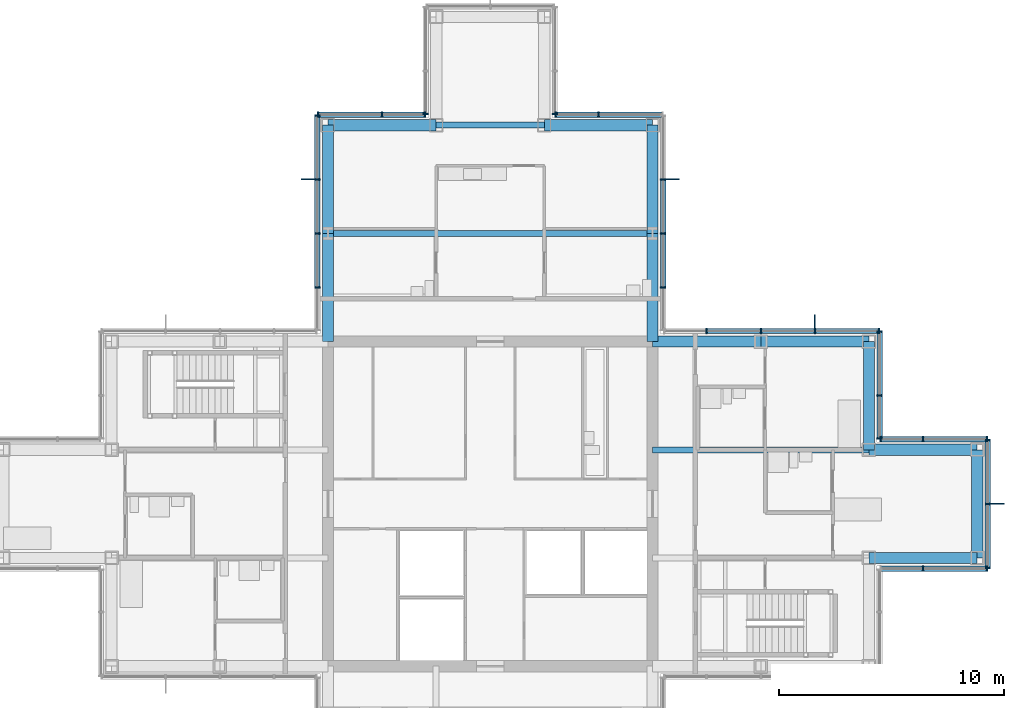
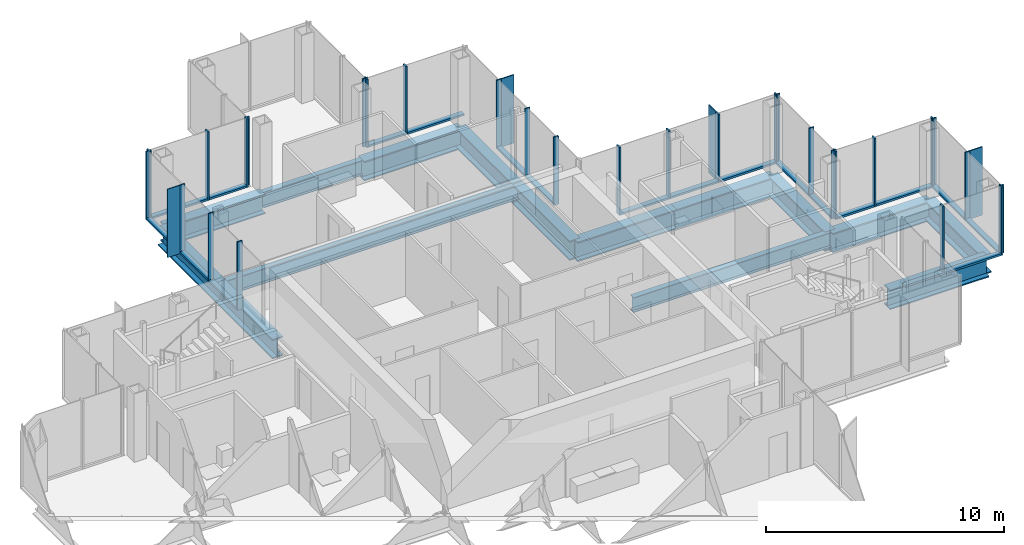
# One storey, part 8 of 17: 53 members, 15 beams, 11 elements without a shape of their own.
"""IFC4 building model written with IfcOpenShell, lengths in metres."""

import ifcopenshell
import ifcopenshell.guid

model = None  # the IFC model being written
_history = None  # IfcOwnerHistory: only IFC2X3 demands one
_inside = {}  # id of a spatial element -> (the spatial element, [elements in it])
_under = {}  # id of a project, library or spatial element -> (it, [spatial elements below it])
_declared = {}  # id of a project -> (the project, [libraries it declares])
_typed = {}  # id of a type object -> (the type object, [elements of that type])
_made_of = {}  # id of a material, layer set ... -> (it, [elements and type objects made of it])


def new_model(schema):
    """Start an empty IFC model of exactly this schema.

    Asked for "IFC4X3", IfcOpenShell would pick the latest addendum, in which some entities
    have other attributes; the version numbers below select the first issue.
    IFC2X3 requires an IfcOwnerHistory on every rooted entity: one is made here for all.
    """
    global model, _history
    if schema == "IFC4X3":
        model = ifcopenshell.file(schema_version=(4, 3, 0, 0))
    else:
        model = ifcopenshell.file(schema=schema)
    _inside.clear()
    _under.clear()
    _declared.clear()
    _typed.clear()
    _made_of.clear()
    _history = None
    if model.schema == "IFC2X3":
        org = make("IfcOrganization", Name="unknown")
        user = make(
            "IfcPersonAndOrganization",
            ThePerson=make("IfcPerson", FamilyName="unknown"),
            TheOrganization=org,
        )
        app = make(
            "IfcApplication",
            ApplicationDeveloper=org,
            Version="unknown",
            ApplicationFullName="unknown",
            ApplicationIdentifier="unknown",
        )
        _history = make(
            "IfcOwnerHistory",
            OwningUser=user,
            OwningApplication=app,
            ChangeAction="ADDED",
            CreationDate=0,
        )
    return model


def make(cls, **values):
    """One entity of the class cls with the attributes given. An attribute that is None is left unset."""
    return model.create_entity(
        cls, **{name: value for name, value in values.items() if value is not None}
    )


def rooted(cls, **values):
    """An entity with a GlobalId (a new one), such as an element, a storey or a relation."""
    return make(cls, GlobalId=ifcopenshell.guid.new(), OwnerHistory=_history, **values)


def si_unit(unit_type, name, prefix=None):
    """IfcSIUnit, for example si_unit("LENGTHUNIT", "METRE", prefix="MILLI")."""
    return make("IfcSIUnit", UnitType=unit_type, Prefix=prefix, Name=name)


def assignment(units):
    """IfcUnitAssignment: the units of a project."""
    return None if units is None else make("IfcUnitAssignment", Units=units)


def point(xyz):
    """IfcCartesianPoint."""
    return None if xyz is None else make("IfcCartesianPoint", Coordinates=xyz)


def direction(xyz):
    """IfcDirection."""
    return None if xyz is None else make("IfcDirection", DirectionRatios=xyz)


def frame(location, z_axis=None, x_axis=None):
    """IfcAxis2Placement3D, a coordinate frame: its origin and axes. An axis left out is left unset."""
    return make(
        "IfcAxis2Placement3D",
        Location=point(location),
        Axis=direction(z_axis),
        RefDirection=direction(x_axis),
    )


def frame_2d(location, x_axis=None):
    """IfcAxis2Placement2D, a coordinate frame in the plane: its origin and x axis."""
    return make(
        "IfcAxis2Placement2D", Location=point(location), RefDirection=direction(x_axis)
    )


def origin():
    """The frame at (0, 0, 0) with its axes left unset."""
    return frame((0.0, 0.0, 0.0))


def origin_2d():
    """The frame at (0, 0) in the plane with its x axis left unset."""
    return frame_2d((0.0, 0.0))


def place(relative_to, where):
    """IfcLocalPlacement: puts the frame where relative to a parent placement (None: the world)."""
    return make(
        "IfcLocalPlacement", PlacementRelTo=relative_to, RelativePlacement=where
    )


def context(
    kind, dimensions, precision=None, world=None, true_north=None, identifier=None
):
    """IfcGeometricRepresentationContext, for example the 3D "Model" context."""
    return make(
        "IfcGeometricRepresentationContext",
        ContextIdentifier=identifier,
        ContextType=kind,
        CoordinateSpaceDimension=dimensions,
        Precision=precision,
        WorldCoordinateSystem=world,
        TrueNorth=true_north,
    )


def subcontext(parent, identifier, kind, view, scale=None):
    """IfcGeometricRepresentationSubContext, for example "Body" below "Model"."""
    return make(
        "IfcGeometricRepresentationSubContext",
        ContextIdentifier=identifier,
        ContextType=kind,
        ParentContext=parent,
        TargetScale=scale,
        TargetView=view,
    )


def project(units=None, contexts=None):
    """IfcProject with its units and contexts."""
    return rooted(
        "IfcProject",
        Name="project",
        RepresentationContexts=contexts,
        UnitsInContext=assignment(units),
    )


def spatial(cls, under=None, at=None, **own):
    """A site, building, storey or space (cls), placed at a placement, below another one or the project."""
    s = rooted(cls, ObjectPlacement=at, **own)
    if under is not None:
        _under.setdefault(under.id(), (under, []))[1].append(s)
    return s


def profile(cls, at=None, kind="AREA", **sizes):
    """A parametric profile (cls). Its sizes go by their IFC names, for example OverallWidth=200.0."""
    return make(cls, ProfileType=kind, Position=at, **sizes)


def rectangle(**sizes):
    """IfcRectangleProfileDef."""
    return profile("IfcRectangleProfileDef", **sizes)


def i_section(**sizes):
    """IfcIShapeProfileDef."""
    return profile("IfcIShapeProfileDef", **sizes)


def extrude(swept, where, along, depth):
    """IfcExtrudedAreaSolid: the profile swept, set in the frame where, extruded along a direction by depth."""
    return make(
        "IfcExtrudedAreaSolid",
        SweptArea=swept,
        Position=where,
        ExtrudedDirection=direction(along),
        Depth=depth,
    )


def shape(context_of_items, identifier, shape_type, items):
    """IfcShapeRepresentation: the items that make up one representation, for example the "Body"."""
    return make(
        "IfcShapeRepresentation",
        ContextOfItems=context_of_items,
        RepresentationIdentifier=identifier,
        RepresentationType=shape_type,
        Items=items,
    )


def material(Name=None, Category=None):
    """IfcMaterial."""
    return make("IfcMaterial", Name=Name, Category=Category)


def material_profile(
    of_material, cross_section, Name=None, Category=None, Priority=None
):
    """IfcMaterialProfile: a cross section and its material."""
    return make(
        "IfcMaterialProfile",
        Name=Name,
        Material=of_material,
        Profile=cross_section,
        Priority=Priority,
        Category=Category,
    )


def profile_set(profiles, Name=None, composite=None):
    """IfcMaterialProfileSet."""
    return make(
        "IfcMaterialProfileSet",
        Name=Name,
        MaterialProfiles=profiles,
        CompositeProfile=composite,
    )


def made_of(thing, what):
    """Note that an element or type object is made of a material, layer set ...; save() writes the relation."""
    if what is not None:
        _made_of.setdefault(what.id(), (what, []))[1].append(thing)
    return thing


def type_object(cls, material=None, **own):
    """A type object (cls), such as IfcWallType, which elements share."""
    return made_of(rooted(cls, **own), material)


def element(
    cls,
    number,
    at=None,
    inside=None,
    cuts=None,
    type_object=None,
    material=None,
    context=None,
    identifier="Body",
    shape_type=None,
    held_by="IfcProductDefinitionShape",
    body=None,
    shapes=None,
    **own,
):
    """One element of the class cls, such as IfcWall. Its Tag is "e" and its number.

    at: its placement. inside: the storey or other place that contains it. cuts: it is an
    opening in that element (IfcRelVoidsElement). A single representation is given by context,
    identifier, shape_type and body (its items); several are given by shapes. held_by: the class
    of the entity that holds the representations. save() writes the other relations.
    """
    e = rooted(cls, Tag="e%d" % number, ObjectPlacement=at, **own)
    if body is not None:
        shapes = [shape(context, identifier, shape_type, body)]
    if shapes is not None:
        e.Representation = make(held_by, Representations=shapes)
    if inside is not None:
        _inside.setdefault(inside.id(), (inside, []))[1].append(e)
    if cuts is not None:
        rooted(
            "IfcRelVoidsElement", RelatingBuildingElement=cuts, RelatedOpeningElement=e
        )
    if type_object is not None:
        _typed.setdefault(type_object.id(), (type_object, []))[1].append(e)
    return made_of(e, material)


def aggregate(whole, parts):
    """IfcRelAggregates: a whole, such as a stair, and the parts it consists of."""
    return rooted("IfcRelAggregates", RelatingObject=whole, RelatedObjects=parts)


def save(model, path):
    """Write the relations noted so far, then the file.

    IfcRelAggregates (storeys below a building ...), IfcRelContainedInSpatialStructure (elements
    in a storey), IfcRelDefinesByType, IfcRelAssociatesMaterial and IfcRelDeclares: one each for
    every whole, place, type object, material and project.
    """
    for whole, parts in _under.values():
        aggregate(whole, parts)
    for where, things in _inside.values():
        rooted(
            "IfcRelContainedInSpatialStructure",
            RelatedElements=things,
            RelatingStructure=where,
        )
    for kind, things in _typed.values():
        rooted("IfcRelDefinesByType", RelatedObjects=things, RelatingType=kind)
    for what, things in _made_of.values():
        rooted("IfcRelAssociatesMaterial", RelatedObjects=things, RelatingMaterial=what)
    for by, libraries in _declared.values():
        rooted("IfcRelDeclares", RelatingContext=by, RelatedDefinitions=libraries)
    model.write(path)


model = new_model("IFC4")

# Units and contexts
model_context = context("Model", 3, precision=1e-05, world=origin(), true_north=direction((0.0, 1.0)))
body_context = subcontext(model_context, "Body", "Model", "MODEL_VIEW")
ifc_project = project(units=[si_unit("LENGTHUNIT", "METRE"), si_unit("AREAUNIT", "SQUARE_METRE"), si_unit("VOLUMEUNIT", "CUBIC_METRE"), si_unit("PLANEANGLEUNIT", "RADIAN"), si_unit("MASSUNIT", "GRAM", prefix="KILO")], contexts=[model_context])

# Site, building, storey
site_placement = place(None, origin())
site = spatial("IfcSite", under=ifc_project, at=site_placement, CompositionType="ELEMENT")
building_placement = place(site_placement, origin())
building = spatial("IfcBuilding", under=site, at=building_placement, Name="Kvirike Care Tower", CompositionType="ELEMENT")
storey_placement = place(building_placement, frame((0.0, 0.0, 155.0)))
storey = spatial("IfcBuildingStorey", under=building, at=storey_placement, Name="L42", CompositionType="ELEMENT", Elevation=155.0)

# Curtain wall, member
ifc_material_1 = material(Name="Anodised aluminium stick system", Category="aluminium")
curtain_wall_type = type_object("IfcCurtainWallType", Name="CW-C STICK CURTAIN WALL", PredefinedType="NOTDEFINED", material=ifc_material_1)
curtain_wall_1_placement = place(storey_placement, origin())
curtain_wall_1 = element("IfcCurtainWall", 1, at=curtain_wall_1_placement, inside=storey, type_object=curtain_wall_type, Name="Curtain wall L42 face 4", PredefinedType="NOTDEFINED")
ifc_material_2 = material(Name="Bronze anodised aluminium fin", Category="aluminium")
ifc_material_profile_1 = material_profile(ifc_material_2, rectangle(XDim=0.050048828125, YDim=0.60009765625, at=origin_2d()), Name="BRONZE FIN 600")
ifc_profile_set_1 = profile_set([ifc_material_profile_1], Name="Bronze anodised aluminium fin")
member_type_1 = type_object("IfcMemberType", Name="BRONZE FIN 600", PredefinedType="USERDEFINED", material=ifc_profile_set_1)
member_1_placement = place(storey_placement, frame((44.090087890625, 36.0, 0.0), z_axis=(0.0, 0.0, 1.0), x_axis=(0.0, 1.0, 0.0)))
member_1 = element("IfcMember", 2, at=member_1_placement, type_object=member_type_1, Name="Bronze fin L42 face 4.2", ObjectType="FIN", PredefinedType="USERDEFINED", context=body_context, shape_type="SweptSolid", body=[
    extrude(rectangle(XDim=0.050048828125, YDim=0.60009765625, at=origin_2d()), origin(), (0.0, 0.0, 1.0), 3.5),
])

curtain_wall_2_placement = place(storey_placement, origin())
curtain_wall_2 = element("IfcCurtainWall", 3, at=curtain_wall_2_placement, inside=storey, type_object=curtain_wall_type, Name="Curtain wall L42 face 7", PredefinedType="NOTDEFINED")
member_2_placement = place(storey_placement, frame((36.0, 44.090087890625, 0.0), z_axis=(0.0, 0.0, 1.0), x_axis=(-1.0, 0.0, 0.0)))
member_2 = element("IfcMember", 4, at=member_2_placement, type_object=member_type_1, Name="Bronze fin L42 face 7.2", ObjectType="FIN", PredefinedType="USERDEFINED", context=body_context, shape_type="SweptSolid", body=[
    extrude(rectangle(XDim=0.050048828125, YDim=0.60009765625, at=origin_2d()), origin(), (0.0, 0.0, 1.0), 3.5),
])

curtain_wall_3_placement = place(storey_placement, origin())
curtain_wall_3 = element("IfcCurtainWall", 5, at=curtain_wall_3_placement, inside=storey, type_object=curtain_wall_type, Name="Curtain wall L42 face 8", PredefinedType="NOTDEFINED")
member_3_placement = place(storey_placement, frame((29.68994140625, 50.39990234375, 0.0), z_axis=(0.0, 0.0, 1.0), x_axis=(0.0, 1.0, 0.0)))
member_3 = element("IfcMember", 6, at=member_3_placement, type_object=member_type_1, Name="Bronze fin L42 face 8.4", ObjectType="FIN", PredefinedType="USERDEFINED", context=body_context, shape_type="SweptSolid", body=[
    extrude(rectangle(XDim=0.050048828125, YDim=0.60009765625, at=origin_2d()), origin(), (0.0, 0.0, 1.0), 3.5),
])

curtain_wall_4_placement = place(storey_placement, origin())
curtain_wall_4 = element("IfcCurtainWall", 7, at=curtain_wall_4_placement, inside=storey, type_object=curtain_wall_type, Name="Curtain wall L42 face 14", PredefinedType="NOTDEFINED")
member_4_placement = place(storey_placement, frame((13.510009765625, 50.39990234375, 0.0), z_axis=(0.0, 0.0, 1.0), x_axis=(0.0, -1.0, 0.0)))
member_4 = element("IfcMember", 8, at=member_4_placement, type_object=member_type_1, Name="Bronze fin L42 face 14.2", ObjectType="FIN", PredefinedType="USERDEFINED", context=body_context, shape_type="SweptSolid", body=[
    extrude(rectangle(XDim=0.050048828125, YDim=0.60009765625, at=origin_2d()), origin(), (0.0, 0.0, 1.0), 3.5),
])

# Curtain wall, members
curtain_wall_5_placement = place(storey_placement, origin())
curtain_wall_5 = element("IfcCurtainWall", 9, at=curtain_wall_5_placement, inside=storey, type_object=curtain_wall_type, Name="Curtain wall L42 face 3", PredefinedType="NOTDEFINED")
ifc_material_3 = material(Name="Bronze anodised aluminium mullion", Category="aluminium")
ifc_material_profile_2 = material_profile(ifc_material_3, rectangle(XDim=0.06494140625, YDim=0.239990234375, at=origin_2d()), Name="CW-C MULLION 65x240")
ifc_profile_set_2 = profile_set([ifc_material_profile_2], Name="Bronze anodised aluminium mullion")
member_type_2 = type_object("IfcMemberType", Name="CW-C MULLION 65x240", PredefinedType="MULLION", material=ifc_profile_set_2)
member_5_placement = place(storey_placement, frame((40.800048828125, 33.1298828125, 0.0), z_axis=(0.0, 0.0, 1.0), x_axis=(1.0, 0.0, 0.0)))
member_5 = element("IfcMember", 10, at=member_5_placement, type_object=member_type_2, Name="CW-C mullion L42 face 3.2", PredefinedType="MULLION", context=body_context, shape_type="SweptSolid", body=[
    extrude(rectangle(XDim=0.06494140625, YDim=0.239990234375, at=origin_2d()), origin(), (0.0, 0.0, 1.0), 3.5),
])
member_6_placement = place(storey_placement, frame((43.637451171875, 33.1298828125, 0.0), z_axis=(0.0, 0.0, 1.0), x_axis=(1.0, 0.0, 0.0)))
member_6 = element("IfcMember", 11, at=member_6_placement, type_object=member_type_2, Name="CW-C mullion L42 face 3.3", PredefinedType="MULLION", context=body_context, shape_type="SweptSolid", body=[
    extrude(rectangle(XDim=0.06494140625, YDim=0.239990234375, at=origin_2d()), origin(), (0.0, 0.0, 1.0), 3.5),
])

# Member
member_7_placement = place(storey_placement, frame((43.669921875, 33.16259765625, 0.0), z_axis=(0.0, 0.0, 1.0), x_axis=(0.0, 1.0, 0.0)))
member_7 = element("IfcMember", 12, at=member_7_placement, type_object=member_type_2, Name="CW-C mullion L42 face 4.1", PredefinedType="MULLION", context=body_context, shape_type="SweptSolid", body=[
    extrude(rectangle(XDim=0.06494140625, YDim=0.239990234375, at=origin_2d()), origin(), (0.0, 0.0, 1.0), 3.5),
])

member_8_placement = place(storey_placement, frame((43.669921875, 36.0, 0.0), z_axis=(0.0, 0.0, 1.0), x_axis=(0.0, 1.0, 0.0)))
member_8 = element("IfcMember", 13, at=member_8_placement, type_object=member_type_2, Name="CW-C mullion L42 face 4.2", PredefinedType="MULLION", context=body_context, shape_type="SweptSolid", body=[
    extrude(rectangle(XDim=0.06494140625, YDim=0.239990234375, at=origin_2d()), origin(), (0.0, 0.0, 1.0), 3.5),
])

member_9_placement = place(storey_placement, frame((43.669921875, 38.83740234375, 0.0), z_axis=(0.0, 0.0, 1.0), x_axis=(0.0, 1.0, 0.0)))
member_9 = element("IfcMember", 14, at=member_9_placement, type_object=member_type_2, Name="CW-C mullion L42 face 4.3", PredefinedType="MULLION", context=body_context, shape_type="SweptSolid", body=[
    extrude(rectangle(XDim=0.06494140625, YDim=0.239990234375, at=origin_2d()), origin(), (0.0, 0.0, 1.0), 3.5),
])

# Curtain wall, members
curtain_wall_6_placement = place(storey_placement, origin())
curtain_wall_6 = element("IfcCurtainWall", 15, at=curtain_wall_6_placement, inside=storey, type_object=curtain_wall_type, Name="Curtain wall L42 face 5", PredefinedType="NOTDEFINED")
member_10_placement = place(storey_placement, frame((43.637451171875, 38.8701171875, 0.0), z_axis=(0.0, 0.0, 1.0), x_axis=(-1.0, 0.0, 0.0)))
member_10 = element("IfcMember", 16, at=member_10_placement, type_object=member_type_2, Name="CW-C mullion L42 face 5.1", PredefinedType="MULLION", context=body_context, shape_type="SweptSolid", body=[
    extrude(rectangle(XDim=0.06494140625, YDim=0.239990234375, at=origin_2d()), origin(), (0.0, 0.0, 1.0), 3.5),
])
member_11_placement = place(storey_placement, frame((40.800048828125, 38.8701171875, 0.0), z_axis=(0.0, 0.0, 1.0), x_axis=(-1.0, 0.0, 0.0)))
member_11 = element("IfcMember", 17, at=member_11_placement, type_object=member_type_2, Name="CW-C mullion L42 face 5.2", PredefinedType="MULLION", context=body_context, shape_type="SweptSolid", body=[
    extrude(rectangle(XDim=0.06494140625, YDim=0.239990234375, at=origin_2d()), origin(), (0.0, 0.0, 1.0), 3.5),
])
member_12_placement = place(storey_placement, frame((38.902587890625, 38.8701171875, 0.0), z_axis=(0.0, 0.0, 1.0), x_axis=(-1.0, 0.0, 0.0)))
member_12 = element("IfcMember", 18, at=member_12_placement, type_object=member_type_2, Name="CW-C mullion L42 face 5.3", PredefinedType="MULLION", context=body_context, shape_type="SweptSolid", body=[
    extrude(rectangle(XDim=0.06494140625, YDim=0.239990234375, at=origin_2d()), origin(), (0.0, 0.0, 1.0), 3.5),
])

curtain_wall_7_placement = place(storey_placement, origin())
curtain_wall_7 = element("IfcCurtainWall", 19, at=curtain_wall_7_placement, inside=storey, type_object=curtain_wall_type, Name="Curtain wall L42 face 6", PredefinedType="NOTDEFINED")
member_13_placement = place(storey_placement, frame((38.8701171875, 38.902587890625, 0.0), z_axis=(0.0, 0.0, 1.0), x_axis=(0.0, 1.0, 0.0)))
member_13 = element("IfcMember", 20, at=member_13_placement, type_object=member_type_2, Name="CW-C mullion L42 face 6.1", PredefinedType="MULLION", context=body_context, shape_type="SweptSolid", body=[
    extrude(rectangle(XDim=0.06494140625, YDim=0.239990234375, at=origin_2d()), origin(), (0.0, 0.0, 1.0), 3.5),
])
member_14_placement = place(storey_placement, frame((38.8701171875, 40.800048828125, 0.0), z_axis=(0.0, 0.0, 1.0), x_axis=(0.0, 1.0, 0.0)))
member_14 = element("IfcMember", 21, at=member_14_placement, type_object=member_type_2, Name="CW-C mullion L42 face 6.2", PredefinedType="MULLION", context=body_context, shape_type="SweptSolid", body=[
    extrude(rectangle(XDim=0.06494140625, YDim=0.239990234375, at=origin_2d()), origin(), (0.0, 0.0, 1.0), 3.5),
])
member_15_placement = place(storey_placement, frame((38.8701171875, 43.637451171875, 0.0), z_axis=(0.0, 0.0, 1.0), x_axis=(0.0, 1.0, 0.0)))
member_15 = element("IfcMember", 22, at=member_15_placement, type_object=member_type_2, Name="CW-C mullion L42 face 6.3", PredefinedType="MULLION", context=body_context, shape_type="SweptSolid", body=[
    extrude(rectangle(XDim=0.06494140625, YDim=0.239990234375, at=origin_2d()), origin(), (0.0, 0.0, 1.0), 3.5),
])

# Member
member_16_placement = place(storey_placement, frame((38.83740234375, 43.669921875, 0.0), z_axis=(0.0, 0.0, 1.0), x_axis=(-1.0, 0.0, 0.0)))
member_16 = element("IfcMember", 23, at=member_16_placement, type_object=member_type_2, Name="CW-C mullion L42 face 7.1", PredefinedType="MULLION", context=body_context, shape_type="SweptSolid", body=[
    extrude(rectangle(XDim=0.06494140625, YDim=0.239990234375, at=origin_2d()), origin(), (0.0, 0.0, 1.0), 3.5),
])

member_17_placement = place(storey_placement, frame((36.0, 43.669921875, 0.0), z_axis=(0.0, 0.0, 1.0), x_axis=(-1.0, 0.0, 0.0)))
member_17 = element("IfcMember", 24, at=member_17_placement, type_object=member_type_2, Name="CW-C mullion L42 face 7.2", PredefinedType="MULLION", context=body_context, shape_type="SweptSolid", body=[
    extrude(rectangle(XDim=0.06494140625, YDim=0.239990234375, at=origin_2d()), origin(), (0.0, 0.0, 1.0), 3.5),
])

member_18_placement = place(storey_placement, frame((33.60009765625, 43.669921875, 0.0), z_axis=(0.0, 0.0, 1.0), x_axis=(-1.0, 0.0, 0.0)))
member_18 = element("IfcMember", 25, at=member_18_placement, type_object=member_type_2, Name="CW-C mullion L42 face 7.3", PredefinedType="MULLION", context=body_context, shape_type="SweptSolid", body=[
    extrude(rectangle(XDim=0.06494140625, YDim=0.239990234375, at=origin_2d()), origin(), (0.0, 0.0, 1.0), 3.5),
])

member_19_placement = place(storey_placement, frame((31.199951171875, 43.669921875, 0.0), z_axis=(0.0, 0.0, 1.0), x_axis=(-1.0, 0.0, 0.0)))
member_19 = element("IfcMember", 26, at=member_19_placement, type_object=member_type_2, Name="CW-C mullion L42 face 7.4", PredefinedType="MULLION", context=body_context, shape_type="SweptSolid", body=[
    extrude(rectangle(XDim=0.06494140625, YDim=0.239990234375, at=origin_2d()), origin(), (0.0, 0.0, 1.0), 3.5),
])

member_20_placement = place(storey_placement, frame((29.27001953125, 45.60009765625, 0.0), z_axis=(0.0, 0.0, 1.0), x_axis=(0.0, 1.0, 0.0)))
member_20 = element("IfcMember", 27, at=member_20_placement, type_object=member_type_2, Name="CW-C mullion L42 face 8.2", PredefinedType="MULLION", context=body_context, shape_type="SweptSolid", body=[
    extrude(rectangle(XDim=0.06494140625, YDim=0.239990234375, at=origin_2d()), origin(), (0.0, 0.0, 1.0), 3.5),
])

member_21_placement = place(storey_placement, frame((29.27001953125, 48.0, 0.0), z_axis=(0.0, 0.0, 1.0), x_axis=(0.0, 1.0, 0.0)))
member_21 = element("IfcMember", 28, at=member_21_placement, type_object=member_type_2, Name="CW-C mullion L42 face 8.3", PredefinedType="MULLION", context=body_context, shape_type="SweptSolid", body=[
    extrude(rectangle(XDim=0.06494140625, YDim=0.239990234375, at=origin_2d()), origin(), (0.0, 0.0, 1.0), 3.5),
])

member_22_placement = place(storey_placement, frame((29.27001953125, 50.39990234375, 0.0), z_axis=(0.0, 0.0, 1.0), x_axis=(0.0, 1.0, 0.0)))
member_22 = element("IfcMember", 29, at=member_22_placement, type_object=member_type_2, Name="CW-C mullion L42 face 8.4", PredefinedType="MULLION", context=body_context, shape_type="SweptSolid", body=[
    extrude(rectangle(XDim=0.06494140625, YDim=0.239990234375, at=origin_2d()), origin(), (0.0, 0.0, 1.0), 3.5),
])

# Curtain wall, members
curtain_wall_8_placement = place(storey_placement, origin())
curtain_wall_8 = element("IfcCurtainWall", 30, at=curtain_wall_8_placement, inside=storey, type_object=curtain_wall_type, Name="Curtain wall L42 face 9", PredefinedType="NOTDEFINED")
member_23_placement = place(storey_placement, frame((26.39990234375, 53.27001953125, 0.0), z_axis=(0.0, 0.0, 1.0), x_axis=(-1.0, 0.0, 0.0)))
member_23 = element("IfcMember", 31, at=member_23_placement, type_object=member_type_2, Name="CW-C mullion L42 face 9.2", PredefinedType="MULLION", context=body_context, shape_type="SweptSolid", body=[
    extrude(rectangle(XDim=0.06494140625, YDim=0.239990234375, at=origin_2d()), origin(), (0.0, 0.0, 1.0), 3.5),
])
member_24_placement = place(storey_placement, frame((24.50244140625, 53.27001953125, 0.0), z_axis=(0.0, 0.0, 1.0), x_axis=(-1.0, 0.0, 0.0)))
member_24 = element("IfcMember", 32, at=member_24_placement, type_object=member_type_2, Name="CW-C mullion L42 face 9.3", PredefinedType="MULLION", context=body_context, shape_type="SweptSolid", body=[
    extrude(rectangle(XDim=0.06494140625, YDim=0.239990234375, at=origin_2d()), origin(), (0.0, 0.0, 1.0), 3.5),
])

# Curtain wall, member
curtain_wall_9_placement = place(storey_placement, origin())
curtain_wall_9 = element("IfcCurtainWall", 33, at=curtain_wall_9_placement, inside=storey, type_object=curtain_wall_type, Name="Curtain wall L42 face 10", PredefinedType="NOTDEFINED")
member_25_placement = place(storey_placement, frame((24.469970703125, 53.302490234375, 0.0), z_axis=(0.0, 0.0, 1.0), x_axis=(0.0, 1.0, 0.0)))
member_25 = element("IfcMember", 34, at=member_25_placement, type_object=member_type_2, Name="CW-C mullion L42 face 10.1", PredefinedType="MULLION", context=body_context, shape_type="SweptSolid", body=[
    extrude(rectangle(XDim=0.06494140625, YDim=0.239990234375, at=origin_2d()), origin(), (0.0, 0.0, 1.0), 3.5),
])
aggregate(curtain_wall_9, [member_25])

curtain_wall_10_placement = place(storey_placement, origin())
curtain_wall_10 = element("IfcCurtainWall", 35, at=curtain_wall_10_placement, inside=storey, type_object=curtain_wall_type, Name="Curtain wall L42 face 12", PredefinedType="NOTDEFINED")
member_26_placement = place(storey_placement, frame((18.72998046875, 53.302490234375, 0.0), z_axis=(0.0, 0.0, 1.0), x_axis=(0.0, -1.0, 0.0)))
member_26 = element("IfcMember", 36, at=member_26_placement, type_object=member_type_2, Name="CW-C mullion L42 face 12.3", PredefinedType="MULLION", context=body_context, shape_type="SweptSolid", body=[
    extrude(rectangle(XDim=0.06494140625, YDim=0.239990234375, at=origin_2d()), origin(), (0.0, 0.0, 1.0), 3.5),
])
aggregate(curtain_wall_10, [member_26])

# Curtain wall, members
curtain_wall_11_placement = place(storey_placement, origin())
curtain_wall_11 = element("IfcCurtainWall", 37, at=curtain_wall_11_placement, inside=storey, type_object=curtain_wall_type, Name="Curtain wall L42 face 13", PredefinedType="NOTDEFINED")
member_27_placement = place(storey_placement, frame((18.697509765625, 53.27001953125, 0.0), z_axis=(0.0, 0.0, 1.0), x_axis=(-1.0, 0.0, 0.0)))
member_27 = element("IfcMember", 38, at=member_27_placement, type_object=member_type_2, Name="CW-C mullion L42 face 13.1", PredefinedType="MULLION", context=body_context, shape_type="SweptSolid", body=[
    extrude(rectangle(XDim=0.06494140625, YDim=0.239990234375, at=origin_2d()), origin(), (0.0, 0.0, 1.0), 3.5),
])
member_28_placement = place(storey_placement, frame((16.800048828125, 53.27001953125, 0.0), z_axis=(0.0, 0.0, 1.0), x_axis=(-1.0, 0.0, 0.0)))
member_28 = element("IfcMember", 39, at=member_28_placement, type_object=member_type_2, Name="CW-C mullion L42 face 13.2", PredefinedType="MULLION", context=body_context, shape_type="SweptSolid", body=[
    extrude(rectangle(XDim=0.06494140625, YDim=0.239990234375, at=origin_2d()), origin(), (0.0, 0.0, 1.0), 3.5),
])
member_29_placement = place(storey_placement, frame((13.96240234375, 53.27001953125, 0.0), z_axis=(0.0, 0.0, 1.0), x_axis=(-1.0, 0.0, 0.0)))
member_29 = element("IfcMember", 40, at=member_29_placement, type_object=member_type_2, Name="CW-C mullion L42 face 13.3", PredefinedType="MULLION", context=body_context, shape_type="SweptSolid", body=[
    extrude(rectangle(XDim=0.06494140625, YDim=0.239990234375, at=origin_2d()), origin(), (0.0, 0.0, 1.0), 3.5),
])

# Member
member_30_placement = place(storey_placement, frame((13.929931640625, 53.237548828125, 0.0), z_axis=(0.0, 0.0, 1.0), x_axis=(0.0, -1.0, 0.0)))
member_30 = element("IfcMember", 41, at=member_30_placement, type_object=member_type_2, Name="CW-C mullion L42 face 14.1", PredefinedType="MULLION", context=body_context, shape_type="SweptSolid", body=[
    extrude(rectangle(XDim=0.06494140625, YDim=0.239990234375, at=origin_2d()), origin(), (0.0, 0.0, 1.0), 3.5),
])

member_31_placement = place(storey_placement, frame((13.929931640625, 50.39990234375, 0.0), z_axis=(0.0, 0.0, 1.0), x_axis=(0.0, -1.0, 0.0)))
member_31 = element("IfcMember", 42, at=member_31_placement, type_object=member_type_2, Name="CW-C mullion L42 face 14.2", PredefinedType="MULLION", context=body_context, shape_type="SweptSolid", body=[
    extrude(rectangle(XDim=0.06494140625, YDim=0.239990234375, at=origin_2d()), origin(), (0.0, 0.0, 1.0), 3.5),
])

member_32_placement = place(storey_placement, frame((13.929931640625, 48.0, 0.0), z_axis=(0.0, 0.0, 1.0), x_axis=(0.0, -1.0, 0.0)))
member_32 = element("IfcMember", 43, at=member_32_placement, type_object=member_type_2, Name="CW-C mullion L42 face 14.3", PredefinedType="MULLION", context=body_context, shape_type="SweptSolid", body=[
    extrude(rectangle(XDim=0.06494140625, YDim=0.239990234375, at=origin_2d()), origin(), (0.0, 0.0, 1.0), 3.5),
])

member_33_placement = place(storey_placement, frame((13.929931640625, 45.60009765625, 0.0), z_axis=(0.0, 0.0, 1.0), x_axis=(0.0, -1.0, 0.0)))
member_33 = element("IfcMember", 44, at=member_33_placement, type_object=member_type_2, Name="CW-C mullion L42 face 14.4", PredefinedType="MULLION", context=body_context, shape_type="SweptSolid", body=[
    extrude(rectangle(XDim=0.06494140625, YDim=0.239990234375, at=origin_2d()), origin(), (0.0, 0.0, 1.0), 3.5),
])

ifc_material_4 = material(Name="Bronze anodised aluminium transom", Category="aluminium")
ifc_material_profile_3 = material_profile(ifc_material_4, rectangle(XDim=0.239990234375, YDim=0.10009765625, at=origin_2d()), Name="CW-C TRANSOM 240x100")
ifc_profile_set_3 = profile_set([ifc_material_profile_3], Name="Bronze anodised aluminium transom")
member_type_3 = type_object("IfcMemberType", Name="CW-C TRANSOM 240x100", PredefinedType="USERDEFINED", material=ifc_profile_set_3)
member_34_placement = place(storey_placement, frame((38.93505859375, 33.1298828125, 0.050048828125), z_axis=(1.0, 0.0, 0.0), x_axis=(0.0, 1.0, 0.0)))
member_34 = element("IfcMember", 45, at=member_34_placement, type_object=member_type_3, Name="CW-C sill transom L42 face 3.1", ObjectType="TRANSOM", PredefinedType="USERDEFINED", context=body_context, shape_type="SweptSolid", body=[
    extrude(rectangle(XDim=0.239990234375, YDim=0.10009765625, at=origin_2d()), origin(), (0.0, 0.0, 1.0), 1.83251953125),
])

member_35_placement = place(storey_placement, frame((40.83251953125, 33.1298828125, 0.050048828125), z_axis=(1.0, 0.0, 0.0), x_axis=(0.0, 1.0, 0.0)))
member_35 = element("IfcMember", 46, at=member_35_placement, type_object=member_type_3, Name="CW-C sill transom L42 face 3.2", ObjectType="TRANSOM", PredefinedType="USERDEFINED", context=body_context, shape_type="SweptSolid", body=[
    extrude(rectangle(XDim=0.239990234375, YDim=0.10009765625, at=origin_2d()), origin(), (0.0, 0.0, 1.0), 2.7724609375),
])

aggregate(curtain_wall_5, [member_5, member_6, member_34, member_35])

member_36_placement = place(storey_placement, frame((43.669921875, 33.195068359375, 0.050048828125), z_axis=(0.0, 1.0, 0.0), x_axis=(-1.0, 0.0, 0.0)))
member_36 = element("IfcMember", 47, at=member_36_placement, type_object=member_type_3, Name="CW-C sill transom L42 face 4.1", ObjectType="TRANSOM", PredefinedType="USERDEFINED", context=body_context, shape_type="SweptSolid", body=[
    extrude(rectangle(XDim=0.239990234375, YDim=0.10009765625, at=origin_2d()), origin(), (0.0, 0.0, 1.0), 2.7724609375),
])

member_37_placement = place(storey_placement, frame((43.669921875, 36.032470703125, 0.050048828125), z_axis=(0.0, 1.0, 0.0), x_axis=(-1.0, 0.0, 0.0)))
member_37 = element("IfcMember", 48, at=member_37_placement, type_object=member_type_3, Name="CW-C sill transom L42 face 4.2", ObjectType="TRANSOM", PredefinedType="USERDEFINED", context=body_context, shape_type="SweptSolid", body=[
    extrude(rectangle(XDim=0.239990234375, YDim=0.10009765625, at=origin_2d()), origin(), (0.0, 0.0, 1.0), 2.7724609375),
])

aggregate(curtain_wall_1, [member_7, member_8, member_1, member_9, member_36, member_37])

member_38_placement = place(storey_placement, frame((43.60498046875, 38.8701171875, 0.050048828125), z_axis=(-1.0, 0.0, 0.0), x_axis=(0.0, -1.0, 0.0)))
member_38 = element("IfcMember", 49, at=member_38_placement, type_object=member_type_3, Name="CW-C sill transom L42 face 5.1", ObjectType="TRANSOM", PredefinedType="USERDEFINED", context=body_context, shape_type="SweptSolid", body=[
    extrude(rectangle(XDim=0.239990234375, YDim=0.10009765625, at=origin_2d()), origin(), (0.0, 0.0, 1.0), 2.7724609375),
])

member_39_placement = place(storey_placement, frame((40.767578125, 38.8701171875, 0.050048828125), z_axis=(-1.0, 0.0, 0.0), x_axis=(0.0, -1.0, 0.0)))
member_39 = element("IfcMember", 50, at=member_39_placement, type_object=member_type_3, Name="CW-C sill transom L42 face 5.2", ObjectType="TRANSOM", PredefinedType="USERDEFINED", context=body_context, shape_type="SweptSolid", body=[
    extrude(rectangle(XDim=0.239990234375, YDim=0.10009765625, at=origin_2d()), origin(), (0.0, 0.0, 1.0), 1.83251953125),
])

aggregate(curtain_wall_6, [member_10, member_11, member_12, member_38, member_39])

member_40_placement = place(storey_placement, frame((38.8701171875, 38.93505859375, 0.050048828125), z_axis=(0.0, 1.0, 0.0), x_axis=(-1.0, 0.0, 0.0)))
member_40 = element("IfcMember", 51, at=member_40_placement, type_object=member_type_3, Name="CW-C sill transom L42 face 6.1", ObjectType="TRANSOM", PredefinedType="USERDEFINED", context=body_context, shape_type="SweptSolid", body=[
    extrude(rectangle(XDim=0.239990234375, YDim=0.10009765625, at=origin_2d()), origin(), (0.0, 0.0, 1.0), 1.83251953125),
])

member_41_placement = place(storey_placement, frame((38.8701171875, 40.83251953125, 0.050048828125), z_axis=(0.0, 1.0, 0.0), x_axis=(-1.0, 0.0, 0.0)))
member_41 = element("IfcMember", 52, at=member_41_placement, type_object=member_type_3, Name="CW-C sill transom L42 face 6.2", ObjectType="TRANSOM", PredefinedType="USERDEFINED", context=body_context, shape_type="SweptSolid", body=[
    extrude(rectangle(XDim=0.239990234375, YDim=0.10009765625, at=origin_2d()), origin(), (0.0, 0.0, 1.0), 2.7724609375),
])

aggregate(curtain_wall_7, [member_13, member_14, member_15, member_40, member_41])

member_42_placement = place(storey_placement, frame((38.804931640625, 43.669921875, 0.050048828125), z_axis=(-1.0, 0.0, 0.0), x_axis=(0.0, -1.0, 0.0)))
member_42 = element("IfcMember", 53, at=member_42_placement, type_object=member_type_3, Name="CW-C sill transom L42 face 7.1", ObjectType="TRANSOM", PredefinedType="USERDEFINED", context=body_context, shape_type="SweptSolid", body=[
    extrude(rectangle(XDim=0.239990234375, YDim=0.10009765625, at=origin_2d()), origin(), (0.0, 0.0, 1.0), 2.7724609375),
])

member_43_placement = place(storey_placement, frame((35.967529296875, 43.669921875, 0.050048828125), z_axis=(-1.0, 0.0, 0.0), x_axis=(0.0, -1.0, 0.0)))
member_43 = element("IfcMember", 54, at=member_43_placement, type_object=member_type_3, Name="CW-C sill transom L42 face 7.2", ObjectType="TRANSOM", PredefinedType="USERDEFINED", context=body_context, shape_type="SweptSolid", body=[
    extrude(rectangle(XDim=0.239990234375, YDim=0.10009765625, at=origin_2d()), origin(), (0.0, 0.0, 1.0), 2.3349609375),
])

member_44_placement = place(storey_placement, frame((33.5673828125, 43.669921875, 0.050048828125), z_axis=(-1.0, 0.0, 0.0), x_axis=(0.0, -1.0, 0.0)))
member_44 = element("IfcMember", 55, at=member_44_placement, type_object=member_type_3, Name="CW-C sill transom L42 face 7.3", ObjectType="TRANSOM", PredefinedType="USERDEFINED", context=body_context, shape_type="SweptSolid", body=[
    extrude(rectangle(XDim=0.239990234375, YDim=0.10009765625, at=origin_2d()), origin(), (0.0, 0.0, 1.0), 2.3349609375),
])

aggregate(curtain_wall_2, [member_16, member_17, member_2, member_18, member_19, member_42, member_43, member_44])

member_45_placement = place(storey_placement, frame((29.27001953125, 45.632568359375, 0.050048828125), z_axis=(0.0, 1.0, 0.0), x_axis=(-1.0, 0.0, 0.0)))
member_45 = element("IfcMember", 56, at=member_45_placement, type_object=member_type_3, Name="CW-C sill transom L42 face 8.2", ObjectType="TRANSOM", PredefinedType="USERDEFINED", context=body_context, shape_type="SweptSolid", body=[
    extrude(rectangle(XDim=0.239990234375, YDim=0.10009765625, at=origin_2d()), origin(), (0.0, 0.0, 1.0), 2.3349609375),
])

member_46_placement = place(storey_placement, frame((29.27001953125, 48.032470703125, 0.050048828125), z_axis=(0.0, 1.0, 0.0), x_axis=(-1.0, 0.0, 0.0)))
member_46 = element("IfcMember", 57, at=member_46_placement, type_object=member_type_3, Name="CW-C sill transom L42 face 8.3", ObjectType="TRANSOM", PredefinedType="USERDEFINED", context=body_context, shape_type="SweptSolid", body=[
    extrude(rectangle(XDim=0.239990234375, YDim=0.10009765625, at=origin_2d()), origin(), (0.0, 0.0, 1.0), 2.3349609375),
])

aggregate(curtain_wall_3, [member_20, member_21, member_22, member_3, member_45, member_46])

member_47_placement = place(storey_placement, frame((29.205078125, 53.27001953125, 0.050048828125), z_axis=(-1.0, 0.0, 0.0), x_axis=(0.0, -1.0, 0.0)))
member_47 = element("IfcMember", 58, at=member_47_placement, type_object=member_type_3, Name="CW-C sill transom L42 face 9.1", ObjectType="TRANSOM", PredefinedType="USERDEFINED", context=body_context, shape_type="SweptSolid", body=[
    extrude(rectangle(XDim=0.239990234375, YDim=0.10009765625, at=origin_2d()), origin(), (0.0, 0.0, 1.0), 2.7724609375),
])

member_48_placement = place(storey_placement, frame((26.367431640625, 53.27001953125, 0.050048828125), z_axis=(-1.0, 0.0, 0.0), x_axis=(0.0, -1.0, 0.0)))
member_48 = element("IfcMember", 59, at=member_48_placement, type_object=member_type_3, Name="CW-C sill transom L42 face 9.2", ObjectType="TRANSOM", PredefinedType="USERDEFINED", context=body_context, shape_type="SweptSolid", body=[
    extrude(rectangle(XDim=0.239990234375, YDim=0.10009765625, at=origin_2d()), origin(), (0.0, 0.0, 1.0), 1.83251953125),
])

aggregate(curtain_wall_8, [member_23, member_24, member_47, member_48])

member_49_placement = place(storey_placement, frame((18.6650390625, 53.27001953125, 0.050048828125), z_axis=(-1.0, 0.0, 0.0), x_axis=(0.0, -1.0, 0.0)))
member_49 = element("IfcMember", 60, at=member_49_placement, type_object=member_type_3, Name="CW-C sill transom L42 face 13.1", ObjectType="TRANSOM", PredefinedType="USERDEFINED", context=body_context, shape_type="SweptSolid", body=[
    extrude(rectangle(XDim=0.239990234375, YDim=0.10009765625, at=origin_2d()), origin(), (0.0, 0.0, 1.0), 1.83251953125),
])

member_50_placement = place(storey_placement, frame((16.767578125, 53.27001953125, 0.050048828125), z_axis=(-1.0, 0.0, 0.0), x_axis=(0.0, -1.0, 0.0)))
member_50 = element("IfcMember", 61, at=member_50_placement, type_object=member_type_3, Name="CW-C sill transom L42 face 13.2", ObjectType="TRANSOM", PredefinedType="USERDEFINED", context=body_context, shape_type="SweptSolid", body=[
    extrude(rectangle(XDim=0.239990234375, YDim=0.10009765625, at=origin_2d()), origin(), (0.0, 0.0, 1.0), 2.7724609375),
])

aggregate(curtain_wall_11, [member_27, member_28, member_29, member_49, member_50])

member_51_placement = place(storey_placement, frame((13.929931640625, 53.205078125, 0.050048828125), z_axis=(0.0, -1.0, 0.0), x_axis=(1.0, 0.0, 0.0)))
member_51 = element("IfcMember", 62, at=member_51_placement, type_object=member_type_3, Name="CW-C sill transom L42 face 14.1", ObjectType="TRANSOM", PredefinedType="USERDEFINED", context=body_context, shape_type="SweptSolid", body=[
    extrude(rectangle(XDim=0.239990234375, YDim=0.10009765625, at=origin_2d()), origin(), (0.0, 0.0, 1.0), 2.7724609375),
])

member_52_placement = place(storey_placement, frame((13.929931640625, 50.367431640625, 0.050048828125), z_axis=(0.0, -1.0, 0.0), x_axis=(1.0, 0.0, 0.0)))
member_52 = element("IfcMember", 63, at=member_52_placement, type_object=member_type_3, Name="CW-C sill transom L42 face 14.2", ObjectType="TRANSOM", PredefinedType="USERDEFINED", context=body_context, shape_type="SweptSolid", body=[
    extrude(rectangle(XDim=0.239990234375, YDim=0.10009765625, at=origin_2d()), origin(), (0.0, 0.0, 1.0), 2.3349609375),
])

member_53_placement = place(storey_placement, frame((13.929931640625, 47.967529296875, 0.050048828125), z_axis=(0.0, -1.0, 0.0), x_axis=(1.0, 0.0, 0.0)))
member_53 = element("IfcMember", 64, at=member_53_placement, type_object=member_type_3, Name="CW-C sill transom L42 face 14.3", ObjectType="TRANSOM", PredefinedType="USERDEFINED", context=body_context, shape_type="SweptSolid", body=[
    extrude(rectangle(XDim=0.239990234375, YDim=0.10009765625, at=origin_2d()), origin(), (0.0, 0.0, 1.0), 2.3349609375),
])

aggregate(curtain_wall_4, [member_30, member_31, member_4, member_32, member_33, member_51, member_52, member_53])

# Beams
ifc_material_5 = material(Name="Steel S355", Category="steel")
ifc_material_profile_4 = material_profile(ifc_material_5, i_section(OverallWidth=0.26806640625, OverallDepth=0.77001953125, WebThickness=0.015625, FlangeThickness=0.025390625, FilletRadius=0.01708984375, at=origin_2d()), Name="IPE 750x196")
ifc_profile_set_4 = profile_set([ifc_material_profile_4], Name="Steel S355")
beam_type_1 = type_object("IfcBeamType", Name="FLOOR BEAM IPE 750x196", PredefinedType="BEAM", material=ifc_profile_set_4)
beam_1_placement = place(storey_placement, frame((28.800048828125, 38.39990234375, -0.554931640625), z_axis=(1.0, 0.0, 0.0), x_axis=(0.0, 1.0, 0.0)))
element("IfcBeam", 65, at=beam_1_placement, inside=storey, type_object=beam_type_1, Name="Floor Beam J9-J11 L42", PredefinedType="BEAM", context=body_context, shape_type="SweptSolid", body=[
    extrude(i_section(OverallWidth=0.26806640625, OverallDepth=0.77001953125, WebThickness=0.015625, FlangeThickness=0.025390625, FilletRadius=0.01708984375, at=origin_2d()), origin(), (0.0, 0.0, 1.0), 9.599853515625),
])
beam_2_placement = place(storey_placement, frame((14.39990234375, 48.0, -0.554931640625), z_axis=(1.0, 0.0, 0.0), x_axis=(0.0, 1.0, 0.0)))
element("IfcBeam", 66, at=beam_2_placement, inside=storey, type_object=beam_type_1, Name="Floor Beam L6-L9 L42", PredefinedType="BEAM", context=body_context, shape_type="SweptSolid", body=[
    extrude(i_section(OverallWidth=0.26806640625, OverallDepth=0.77001953125, WebThickness=0.015625, FlangeThickness=0.025390625, FilletRadius=0.01708984375, at=origin_2d()), origin(), (0.0, 0.0, 1.0), 14.400146484375),
])
beam_3_placement = place(storey_placement, frame((19.199951171875, 52.800048828125, -0.554931640625), z_axis=(1.0, 0.0, 0.0), x_axis=(0.0, 1.0, 0.0)))
element("IfcBeam", 67, at=beam_3_placement, inside=storey, type_object=beam_type_1, Name="Floor Beam M7-M8 L42", PredefinedType="BEAM", context=body_context, shape_type="SweptSolid", body=[
    extrude(i_section(OverallWidth=0.26806640625, OverallDepth=0.77001953125, WebThickness=0.015625, FlangeThickness=0.025390625, FilletRadius=0.01708984375, at=origin_2d()), origin(), (0.0, 0.0, 1.0), 4.800048828125),
])
ifc_material_6 = material(Name="Steel S355", Category="steel")
ifc_material_profile_5 = material_profile(ifc_material_6, i_section(OverallWidth=0.5, OverallDepth=1.0, WebThickness=0.030029296875, FlangeThickness=0.06005859375, at=origin_2d()), Name="PG 1000x500x30x60")
ifc_profile_set_5 = profile_set([ifc_material_profile_5], Name="Steel S355")
beam_type_2 = type_object("IfcBeamType", Name="SPANDREL PG 1000x500x30x60", PredefinedType="SPANDREL", material=ifc_profile_set_5)
for number, where, z_axis, x_axis, name in (
    (68, (38.39990234375, 33.60009765625, -0.669921875), (1.0, 0.0, 0.0), (0.0, 1.0, 0.0), "Spandrel H11-H12 L42"),
    (69, (38.39990234375, 38.39990234375, -0.669921875), (1.0, 0.0, 0.0), (0.0, 1.0, 0.0), "Spandrel J11-J12 L42"),
    (70, (28.800048828125, 43.199951171875, -0.669921875), (1.0, 0.0, 0.0), (0.0, 1.0, 0.0), "Spandrel K9-K10 L42"),
):
    element("IfcBeam", number, at=place(storey_placement, frame(where, z_axis=z_axis, x_axis=x_axis)), inside=storey, type_object=beam_type_2, Name=name, PredefinedType="SPANDREL", context=body_context, shape_type="SweptSolid", body=[
        extrude(i_section(OverallWidth=0.5, OverallDepth=1.0, WebThickness=0.030029296875, FlangeThickness=0.06005859375, at=origin_2d()), origin(), (0.0, 0.0, 1.0), 4.800048828125),
    ])
beam_4_placement = place(storey_placement, frame((33.60009765625, 43.199951171875, -0.669921875), z_axis=(1.0, 0.0, 0.0), x_axis=(0.0, 1.0, 0.0)))
element("IfcBeam", 71, at=beam_4_placement, inside=storey, type_object=beam_type_2, Name="Spandrel K10-K11 L42", PredefinedType="SPANDREL", context=body_context, shape_type="SweptSolid", body=[
    extrude(i_section(OverallWidth=0.5, OverallDepth=1.0, WebThickness=0.030029296875, FlangeThickness=0.06005859375, at=origin_2d()), origin(), (0.0, 0.0, 1.0), 4.7998046875),
])
for number, where, z_axis, x_axis, name in (
    (72, (14.39990234375, 52.800048828125, -0.669921875), (1.0, 0.0, 0.0), (0.0, 1.0, 0.0), "Spandrel M6-M7 L42"),
    (73, (24.0, 52.800048828125, -0.669921875), (1.0, 0.0, 0.0), (0.0, 1.0, 0.0), "Spandrel M8-M9 L42"),
    (74, (14.39990234375, 43.199951171875, -0.669921875), (0.0, 1.0, 0.0), (-1.0, 0.0, 0.0), "Spandrel K6-L6 L42"),
    (75, (14.39990234375, 48.0, -0.669921875), (0.0, 1.0, 0.0), (-1.0, 0.0, 0.0), "Spandrel L6-M6 L42"),
    (76, (28.800048828125, 43.199951171875, -0.669921875), (0.0, 1.0, 0.0), (-1.0, 0.0, 0.0), "Spandrel K9-L9 L42"),
    (77, (28.800048828125, 48.0, -0.669921875), (0.0, 1.0, 0.0), (-1.0, 0.0, 0.0), "Spandrel L9-M9 L42"),
    (78, (38.39990234375, 38.39990234375, -0.669921875), (0.0, 1.0, 0.0), (-1.0, 0.0, 0.0), "Spandrel J11-K11 L42"),
):
    element("IfcBeam", number, at=place(storey_placement, frame(where, z_axis=z_axis, x_axis=x_axis)), inside=storey, type_object=beam_type_2, Name=name, PredefinedType="SPANDREL", context=body_context, shape_type="SweptSolid", body=[
        extrude(i_section(OverallWidth=0.5, OverallDepth=1.0, WebThickness=0.030029296875, FlangeThickness=0.06005859375, at=origin_2d()), origin(), (0.0, 0.0, 1.0), 4.800048828125),
    ])
beam_5_placement = place(storey_placement, frame((43.199951171875, 33.60009765625, -0.669921875), z_axis=(0.0, 1.0, 0.0), x_axis=(-1.0, 0.0, 0.0)))
element("IfcBeam", 79, at=beam_5_placement, inside=storey, type_object=beam_type_2, Name="Spandrel H12-J12 L42", PredefinedType="SPANDREL", context=body_context, shape_type="SweptSolid", body=[
    extrude(i_section(OverallWidth=0.5, OverallDepth=1.0, WebThickness=0.030029296875, FlangeThickness=0.06005859375, at=origin_2d()), origin(), (0.0, 0.0, 1.0), 4.7998046875),
])

save(model, "model.ifc")
